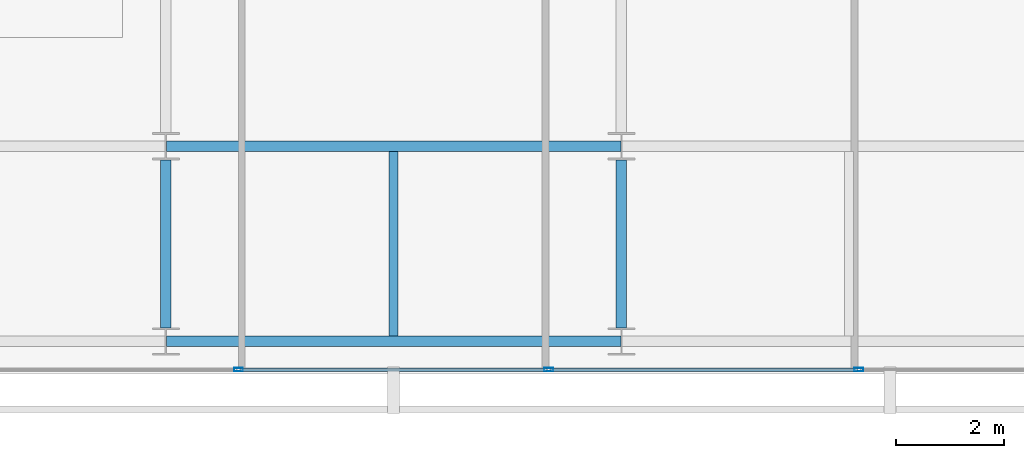
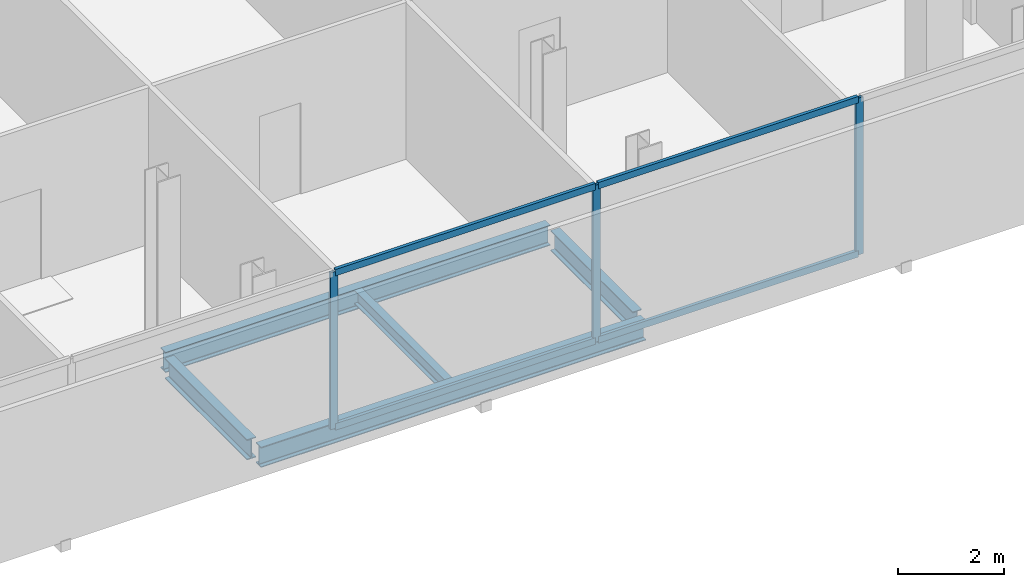
# One storey, part 5 of 24: 7 members, 5 beams, 1 element without a shape of its own.
"""IFC4 building model written with IfcOpenShell, lengths in metres."""

from ifc_helpers import new_model, si_unit, direction, frame, origin, origin_2d, place, context, subcontext, project, spatial, hollow_rectangle, i_section, extrude, material, layer, layer_set, material_profile, profile_set, type_object, element, aggregate, save


model = new_model("IFC4")

# Units and contexts
model_context = context("Model", 3, precision=1e-05, world=origin(), true_north=direction((0.0, 1.0)))
body_context = subcontext(model_context, "Body", "Model", "MODEL_VIEW")
ifc_project = project(units=[si_unit("LENGTHUNIT", "METRE"), si_unit("AREAUNIT", "SQUARE_METRE"), si_unit("VOLUMEUNIT", "CUBIC_METRE"), si_unit("PLANEANGLEUNIT", "RADIAN"), si_unit("MASSUNIT", "GRAM", prefix="KILO")], contexts=[model_context])

# Site, building, storey
site_placement = place(None, origin())
site = spatial("IfcSite", under=ifc_project, at=site_placement, CompositionType="ELEMENT")
building_placement = place(site_placement, origin())
building = spatial("IfcBuilding", under=site, at=building_placement, Name="Maruvema Waterfront Hotel and Observation Tower", CompositionType="ELEMENT")
storey_placement = place(building_placement, frame((0.0, 0.0, 325.85009765625)))
storey = spatial("IfcBuildingStorey", under=building, at=storey_placement, Name="L80", CompositionType="ELEMENT", Elevation=325.85009765625)

# Curtain wall, members
ifc_material_1 = material(Name="Anodised bronze aluminium and solar-control low-E IGU", Category="aluminium")
ifc_layer = layer(ifc_material_1, 0.159912109375, Name="Zone 4 Sky Residence Inner Curtain Wall System CW-05")
ifc_layer_set = layer_set([ifc_layer], Name="Anodised bronze aluminium and solar-control low-E IGU")
curtain_wall_type = type_object("IfcCurtainWallType", Name="Zone 4 Sky Residence Inner Curtain Wall System CW-05", PredefinedType="USERDEFINED", material=ifc_layer_set)
curtain_wall_placement = place(storey_placement, origin())
curtain_wall = element("IfcCurtainWall", 1, at=curtain_wall_placement, inside=storey, type_object=curtain_wall_type, Name="L80 Curtain Wall CW-L80-S", ObjectType="UNITISED CURTAIN WALL", PredefinedType="USERDEFINED")
ifc_material_2 = material(Name="Anodised architectural bronze aluminium", Category="aluminium")
ifc_material_profile_1 = material_profile(ifc_material_2, hollow_rectangle(XDim=0.070068359375, YDim=0.14990234375, WallThickness=0.00390625, at=origin_2d()), Name="ALU-T70x150")
ifc_profile_set_1 = profile_set([ifc_material_profile_1], Name="Anodised architectural bronze aluminium")
member_type_1 = type_object("IfcMemberType", Name="Curtain Wall Horizontal Transom ALU-T70x150", PredefinedType="USERDEFINED", material=ifc_profile_set_1)
member_1_placement = place(storey_placement, frame((34.969970703125, 13.8798828125, 0.02978515625), z_axis=(1.0, 0.0, 0.0), x_axis=(0.0, 1.0, 0.0)))
member_1 = element("IfcMember", 2, at=member_1_placement, type_object=member_type_1, Name="CW-05 transom 3.1", ObjectType="TRANSOM", PredefinedType="USERDEFINED", context=body_context, shape_type="SweptSolid", body=[
    extrude(hollow_rectangle(XDim=0.070068359375, YDim=0.14990234375, WallThickness=0.00390625, at=origin_2d()), origin(), (0.0, 0.0, 1.0), 5.659912109375),
])
member_2_placement = place(storey_placement, frame((34.969970703125, 13.8798828125, 3.579833984375), z_axis=(1.0, 0.0, 0.0), x_axis=(0.0, 1.0, 0.0)))
member_2 = element("IfcMember", 3, at=member_2_placement, type_object=member_type_1, Name="CW-05 transom 3.2", ObjectType="TRANSOM", PredefinedType="USERDEFINED", context=body_context, shape_type="SweptSolid", body=[
    extrude(hollow_rectangle(XDim=0.070068359375, YDim=0.14990234375, WallThickness=0.00390625, at=origin_2d()), origin(), (0.0, 0.0, 1.0), 5.659912109375),
])
member_3_placement = place(storey_placement, frame((40.68994140625, 13.8798828125, 0.02978515625), z_axis=(1.0, 0.0, 0.0), x_axis=(0.0, 1.0, 0.0)))
member_3 = element("IfcMember", 4, at=member_3_placement, type_object=member_type_1, Name="CW-05 transom 4.1", ObjectType="TRANSOM", PredefinedType="USERDEFINED", context=body_context, shape_type="SweptSolid", body=[
    extrude(hollow_rectangle(XDim=0.070068359375, YDim=0.14990234375, WallThickness=0.00390625, at=origin_2d()), origin(), (0.0, 0.0, 1.0), 5.66015625),
])
member_4_placement = place(storey_placement, frame((40.68994140625, 13.8798828125, 3.579833984375), z_axis=(1.0, 0.0, 0.0), x_axis=(0.0, 1.0, 0.0)))
member_4 = element("IfcMember", 5, at=member_4_placement, type_object=member_type_1, Name="CW-05 transom 4.2", ObjectType="TRANSOM", PredefinedType="USERDEFINED", context=body_context, shape_type="SweptSolid", body=[
    extrude(hollow_rectangle(XDim=0.070068359375, YDim=0.14990234375, WallThickness=0.00390625, at=origin_2d()), origin(), (0.0, 0.0, 1.0), 5.66015625),
])
ifc_material_3 = material(Name="Anodised architectural bronze aluminium", Category="aluminium")
ifc_material_profile_2 = material_profile(ifc_material_3, hollow_rectangle(XDim=0.06494140625, YDim=0.1650390625, WallThickness=0.00390625, at=origin_2d()), Name="ALU-M65x165")
ifc_profile_set_2 = profile_set([ifc_material_profile_2], Name="Anodised architectural bronze aluminium")
member_type_2 = type_object("IfcMemberType", Name="Curtain Wall Primary Mullion ALU-M65x165", PredefinedType="MULLION", material=ifc_profile_set_2)
member_5_placement = place(storey_placement, frame((34.93994140625, 13.8798828125, 0.0), z_axis=(0.0, 0.0, 1.0), x_axis=(0.0, 1.0, 0.0)))
member_5 = element("IfcMember", 6, at=member_5_placement, type_object=member_type_2, Name="CW-05 mullion 3", PredefinedType="MULLION", context=body_context, shape_type="SweptSolid", body=[
    extrude(hollow_rectangle(XDim=0.06494140625, YDim=0.1650390625, WallThickness=0.00390625, at=origin_2d()), origin(), (0.0, 0.0, 1.0), 3.60986328125),
])
member_6_placement = place(storey_placement, frame((40.659912109375, 13.8798828125, 0.0), z_axis=(0.0, 0.0, 1.0), x_axis=(0.0, 1.0, 0.0)))
member_6 = element("IfcMember", 7, at=member_6_placement, type_object=member_type_2, Name="CW-05 mullion 4", PredefinedType="MULLION", context=body_context, shape_type="SweptSolid", body=[
    extrude(hollow_rectangle(XDim=0.06494140625, YDim=0.1650390625, WallThickness=0.00390625, at=origin_2d()), origin(), (0.0, 0.0, 1.0), 3.60986328125),
])
member_7_placement = place(storey_placement, frame((46.3798828125, 13.8798828125, 0.0), z_axis=(0.0, 0.0, 1.0), x_axis=(0.0, 1.0, 0.0)))
member_7 = element("IfcMember", 8, at=member_7_placement, type_object=member_type_2, Name="CW-05 mullion 5", PredefinedType="MULLION", context=body_context, shape_type="SweptSolid", body=[
    extrude(hollow_rectangle(XDim=0.06494140625, YDim=0.1650390625, WallThickness=0.00390625, at=origin_2d()), origin(), (0.0, 0.0, 1.0), 3.60986328125),
])
aggregate(curtain_wall, [member_5, member_6, member_7, member_1, member_2, member_3, member_4])

# Beams
ifc_material_4 = material(Name="Steel ASTM A572 Grade 50", Category="steel")
ifc_material_profile_3 = material_profile(ifc_material_4, i_section(OverallWidth=0.194091796875, OverallDepth=0.468994140625, WebThickness=0.0126953125, FlangeThickness=0.0205078125, FilletRadius=0.014892578125, at=origin_2d()), Name="W460x106.0")
ifc_profile_set_3 = profile_set([ifc_material_profile_3], Name="Steel ASTM A572 Grade 50")
beam_type_1 = type_object("IfcBeamType", Name="Primary Floor Girder W460x106.0", PredefinedType="BEAM", material=ifc_profile_set_3)
for number, where, z_axis, x_axis, name in (
    (9, (33.611083984375, 14.39990234375, -0.474609375), (1.0, 0.0, 0.0), (0.0, 1.0, 0.0), "L80 Floor Girder EW-02"),
    (10, (33.611083984375, 18.0, -0.474609375), (1.0, 0.0, 0.0), (0.0, 1.0, 0.0), "L80 Floor Girder EW-05"),
):
    element("IfcBeam", number, at=place(storey_placement, frame(where, z_axis=z_axis, x_axis=x_axis)), inside=storey, type_object=beam_type_1, Name=name, PredefinedType="BEAM", context=body_context, shape_type="SweptSolid", body=[
        extrude(i_section(OverallWidth=0.194091796875, OverallDepth=0.468994140625, WebThickness=0.0126953125, FlangeThickness=0.0205078125, FilletRadius=0.014892578125, at=origin_2d()), origin(), (0.0, 0.0, 1.0), 8.3779296875),
    ])
for number, where, z_axis, x_axis, name in (
    (11, (33.60009765625, 14.64990234375, -0.474609375), (0.0, 1.0, 0.0), (-1.0, 0.0, 0.0), "L80 Floor Girder NS-07"),
    (12, (42.0, 14.64990234375, -0.474609375), (0.0, 1.0, 0.0), (-1.0, 0.0, 0.0), "L80 Floor Girder NS-09"),
):
    element("IfcBeam", number, at=place(storey_placement, frame(where, z_axis=z_axis, x_axis=x_axis)), inside=storey, type_object=beam_type_1, Name=name, PredefinedType="BEAM", context=body_context, shape_type="SweptSolid", body=[
        extrude(i_section(OverallWidth=0.194091796875, OverallDepth=0.468994140625, WebThickness=0.0126953125, FlangeThickness=0.0205078125, FilletRadius=0.014892578125, at=origin_2d()), origin(), (0.0, 0.0, 1.0), 3.10009765625),
    ])
ifc_material_5 = material(Name="Steel ASTM A572 Grade 50", Category="steel")
ifc_material_profile_4 = material_profile(ifc_material_5, i_section(OverallWidth=0.1669921875, OverallDepth=0.31689453125, WebThickness=0.007568359375, FlangeThickness=0.01318359375, FilletRadius=0.012939453125, at=origin_2d()), Name="W310x52.0")
ifc_profile_set_4 = profile_set([ifc_material_profile_4], Name="Steel ASTM A572 Grade 50")
beam_type_2 = type_object("IfcBeamType", Name="Secondary Floor Joist W310x52.0", PredefinedType="JOIST", material=ifc_profile_set_4)
beam_placement = place(storey_placement, frame((37.800048828125, 14.4970703125, -0.398681640625), z_axis=(0.0, 1.0, 0.0), x_axis=(-1.0, 0.0, 0.0)))
element("IfcBeam", 13, at=beam_placement, inside=storey, type_object=beam_type_2, Name="L80 Secondary Floor Joist JS-04", PredefinedType="JOIST", context=body_context, shape_type="SweptSolid", body=[
    extrude(i_section(OverallWidth=0.1669921875, OverallDepth=0.31689453125, WebThickness=0.007568359375, FlangeThickness=0.01318359375, FilletRadius=0.012939453125, at=origin_2d()), origin(), (0.0, 0.0, 1.0), 3.406005859375),
])

save(model, "model.ifc")
